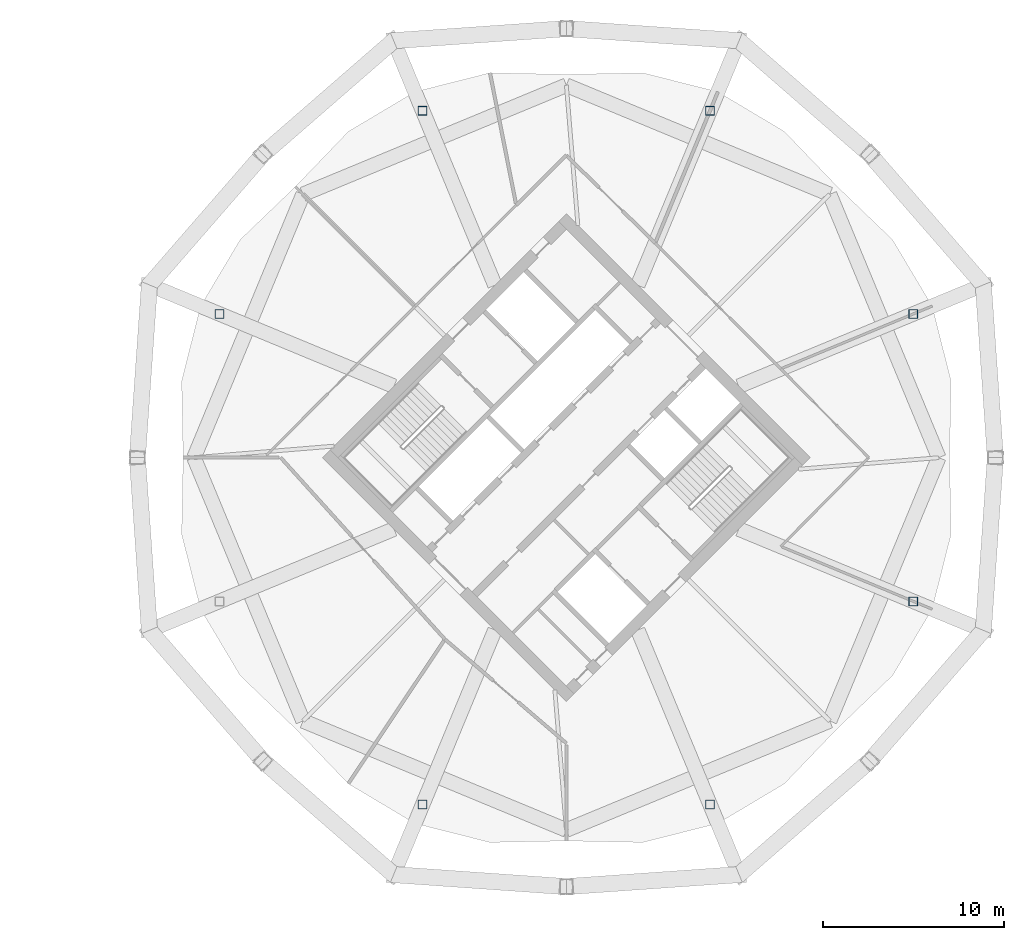
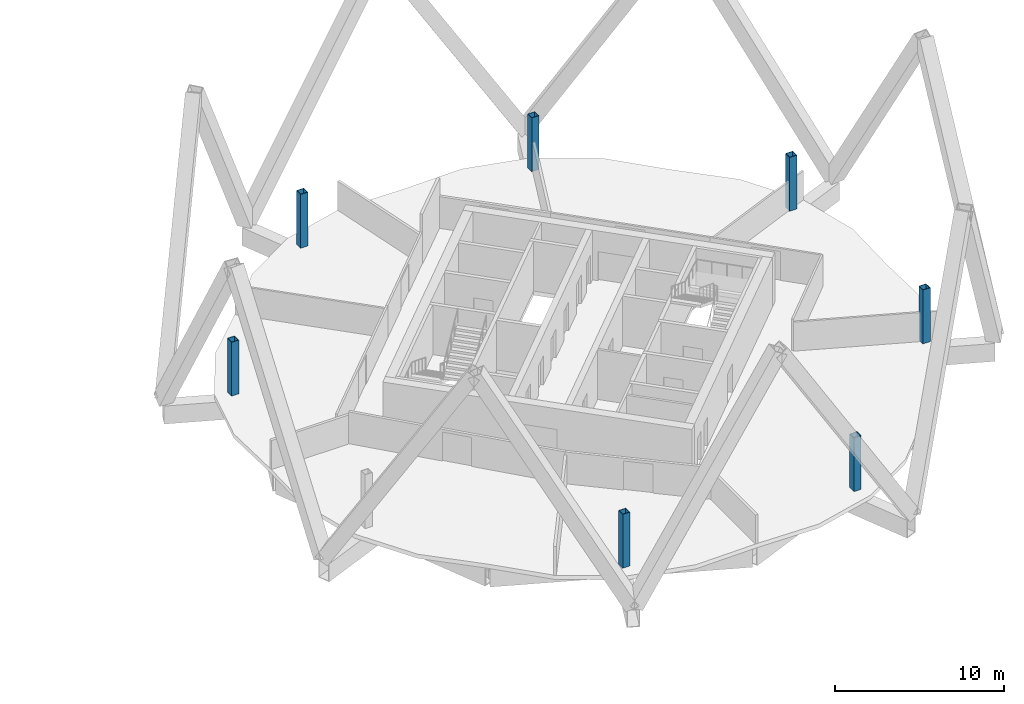
# One storey, part 2 of 9: 7 columns.
"""IFC4 building model written with IfcOpenShell, lengths in metres."""

from ifc_helpers import new_model, si_unit, direction, frame, origin, origin_2d, place, context, subcontext, project, spatial, hollow_rectangle, extrude, material, material_profile, profile_set, type_object, element, save


model = new_model("IFC4")

# Units and contexts
model_context = context("Model", 3, precision=1e-05, world=origin(), true_north=direction((0.0, 1.0)))
body_context = subcontext(model_context, "Body", "Model", "MODEL_VIEW")
ifc_project = project(units=[si_unit("LENGTHUNIT", "METRE"), si_unit("AREAUNIT", "SQUARE_METRE"), si_unit("VOLUMEUNIT", "CUBIC_METRE"), si_unit("PLANEANGLEUNIT", "RADIAN"), si_unit("MASSUNIT", "GRAM", prefix="KILO")], contexts=[model_context])

# Site, building, storey
site_placement = place(None, origin())
site = spatial("IfcSite", under=ifc_project, at=site_placement, CompositionType="ELEMENT")
building_placement = place(site_placement, origin())
building = spatial("IfcBuilding", under=site, at=building_placement, Name="Ogive Gate Towers", CompositionType="ELEMENT")
storey_placement = place(building_placement, frame((0.0, 0.0, 200.699951171875)))
storey = spatial("IfcBuildingStorey", under=building, at=storey_placement, Name="L48", CompositionType="ELEMENT", Elevation=200.699951171875)

# Columns
ifc_material = material(Name="Steel SM460", Category="steel")
ifc_material_profile = material_profile(ifc_material, hollow_rectangle(XDim=0.5, YDim=0.5, WallThickness=0.030029296875, at=origin_2d()), Name="BX 500x500x30")
ifc_profile_set = profile_set([ifc_material_profile], Name="Steel SM460")
column_type = type_object("IfcColumnType", Name="Perimeter post BX 500x500x30", PredefinedType="COLUMN", material=ifc_profile_set)
for number, where, z_axis, x_axis, name in (
    (1, (55.114990234375, 7.917724609375, 0.0), (0.0, 0.0, 1.0), (1.0, 0.0, 0.0), "T2/L48/SCL001"),
    (2, (43.917724609375, 19.114990234375, 0.0), (0.0, 0.0, 1.0), (1.0, 0.0, 0.0), "T2/L48/SCL002"),
    (3, (28.082275390625, 19.114990234375, 0.0), (0.0, 0.0, 1.0), (1.0, 0.0, 0.0), "T2/L48/SCL003"),
    (4, (16.885009765625, 7.917724609375, 0.0), (0.0, 0.0, 1.0), (1.0, 0.0, 0.0), "T2/L48/SCL004"),
    (5, (28.082275390625, -19.114990234375, 0.0), (0.0, 0.0, 1.0), (1.0, 0.0, 0.0), "T2/L48/SCL006"),
    (6, (43.917724609375, -19.114990234375, 0.0), (0.0, 0.0, 1.0), (1.0, 0.0, 0.0), "T2/L48/SCL007"),
    (7, (55.114990234375, -7.917724609375, 0.0), (0.0, 0.0, 1.0), (1.0, 0.0, 0.0), "T2/L48/SCL008"),
):
    element("IfcColumn", number, at=place(storey_placement, frame(where, z_axis=z_axis, x_axis=x_axis)), inside=storey, type_object=column_type, Name=name, PredefinedType="COLUMN", context=body_context, shape_type="SweptSolid", body=[
        extrude(hollow_rectangle(XDim=0.5, YDim=0.5, WallThickness=0.030029296875, at=origin_2d()), origin(), (0.0, 0.0, 1.0), 3.900146484375),
    ])

save(model, "model.ifc")
